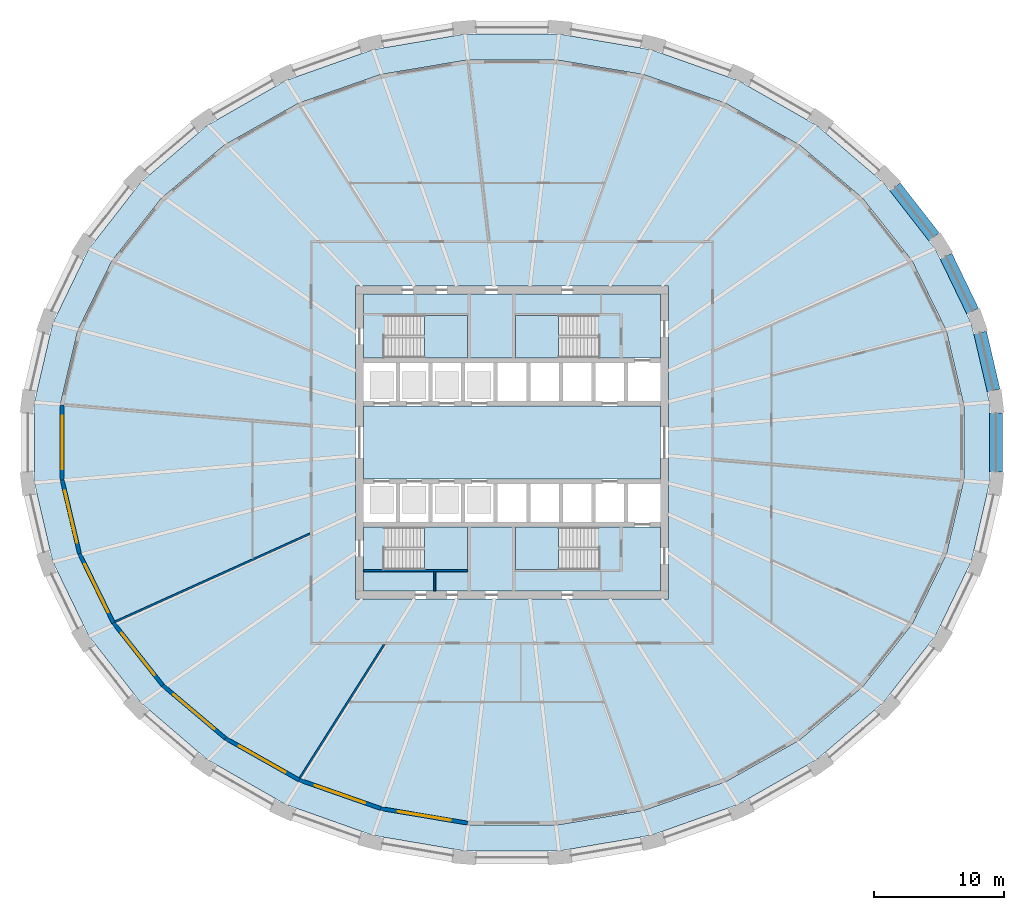
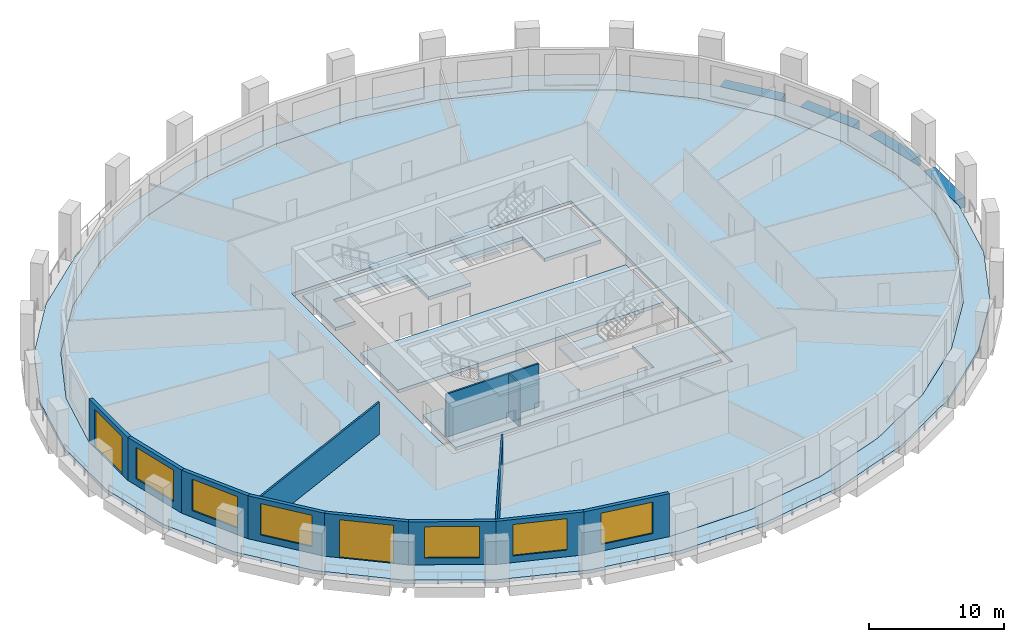
# One storey, part 2 of 10: 12 walls, 9 slabs, 6 windows, 4 beams, 2 doors, 8 openings, 4 elements without a shape of their own.
"""IFC4 building model written with IfcOpenShell, lengths in metres."""

from ifc_helpers import new_model, si_unit, direction, frame, frame_2d, origin, origin_2d, place, context, subcontext, project, spatial, polyline, rectangle, outline, extrude, material, layer, layer_set, material_profile, profile_set, type_object, element, fill, aggregate, save


model = new_model("IFC4")

# Units and contexts
model_context = context("Model", 3, precision=1e-05, world=origin(), true_north=direction((0.0, 1.0)))
body_context = subcontext(model_context, "Body", "Model", "MODEL_VIEW")
ifc_project = project(units=[si_unit("LENGTHUNIT", "METRE"), si_unit("AREAUNIT", "SQUARE_METRE"), si_unit("VOLUMEUNIT", "CUBIC_METRE"), si_unit("PLANEANGLEUNIT", "RADIAN"), si_unit("MASSUNIT", "GRAM", prefix="KILO")], contexts=[model_context])

# Site, building, storey
site_placement = place(None, origin())
site = spatial("IfcSite", under=ifc_project, at=site_placement, CompositionType="ELEMENT")
building_placement = place(site_placement, origin())
building = spatial("IfcBuilding", under=site, at=building_placement, Name="Halqa Exchange Tower", CompositionType="ELEMENT")
storey_placement = place(building_placement, frame((0.0, 0.0, 52.89990234375)))
storey = spatial("IfcBuildingStorey", under=building, at=storey_placement, Name="L11", CompositionType="ELEMENT", Elevation=52.89990234375)

# Beams
ifc_material_1 = material(Name="Concrete C60/75", Category="concrete")
ifc_material_profile = material_profile(ifc_material_1, rectangle(XDim=1.0, YDim=0.89990234375, at=origin_2d()), Name="1000 x 900")
ifc_profile_set = profile_set([ifc_material_profile], Name="Concrete C60/75")
beam_type = type_object("IfcBeamType", Name="RC spandrel beam 1000 x 900 C60/75", PredefinedType="SPANDREL", material=ifc_profile_set)
beam_1_placement = place(storey_placement, frame((36.9375, 3.99072265625, -0.449951171875), z_axis=(-0.226037111301, 0.974118691082, 0.0), x_axis=(-0.974118691082, -0.226037111301, 0.0)))
element("IfcBeam", 1, at=beam_1_placement, inside=storey, type_object=beam_type, Name="Spandrel 1", PredefinedType="SPANDREL", context=body_context, shape_type="SweptSolid", body=[
    extrude(rectangle(XDim=1.0, YDim=0.89990234375, at=origin_2d()), origin(), (0.0, 0.0, 1.0), 4.556884765625),
])
beam_2_placement = place(storey_placement, frame((35.327392578125, 10.074462890625, -0.449951171875), z_axis=(-0.43512988636, 0.900367692666, 0.0), x_axis=(-0.900367692666, -0.43512988636, 0.0)))
element("IfcBeam", 2, at=beam_2_placement, inside=storey, type_object=beam_type, Name="Spandrel 2", PredefinedType="SPANDREL", context=body_context, shape_type="SweptSolid", body=[
    extrude(rectangle(XDim=1.0, YDim=0.89990234375, at=origin_2d()), origin(), (0.0, 0.0, 1.0), 4.6787109375),
])
beam_3_placement = place(storey_placement, frame((32.37060546875, 15.76904296875, -0.449951171875), z_axis=(-0.614803063133, 0.788680666406, 0.0), x_axis=(-0.788680666406, -0.614803063133, 0.0)))
element("IfcBeam", 3, at=beam_3_placement, inside=storey, type_object=beam_type, Name="Spandrel 3", PredefinedType="SPANDREL", context=body_context, shape_type="SweptSolid", body=[
    extrude(rectangle(XDim=1.0, YDim=0.89990234375, at=origin_2d()), origin(), (0.0, 0.0, 1.0), 4.858154296875),
])
beam_4_placement = place(storey_placement, frame((37.135986328125, -2.25634765625, -0.449951171875), z_axis=(0.0, 1.0, 0.0), x_axis=(-1.0, 0.0, 0.0)))
element("IfcBeam", 4, at=beam_4_placement, inside=storey, type_object=beam_type, Name="Spandrel 32", PredefinedType="SPANDREL", context=body_context, shape_type="SweptSolid", body=[
    extrude(rectangle(XDim=1.0, YDim=0.89990234375, at=origin_2d()), origin(), (0.0, 0.0, 1.0), 4.5126953125),
])

# Slabs
ifc_layer_1 = layer(ifc_material_1, 0.300048828125)
ifc_layer_set_1 = layer_set([ifc_layer_1], Name="Concrete C60/75")
slab_type_1 = type_object("IfcSlabType", Name="Core floor slab 300", PredefinedType="FLOOR", material=ifc_layer_set_1)
slab_1_placement = place(storey_placement, frame((0.0, 0.0, -0.2998046875)))
element("IfcSlab", 5, at=slab_1_placement, inside=storey, type_object=slab_type_1, Name="Core floor slab", PredefinedType="FLOOR", context=body_context, shape_type="SweptSolid", body=[
    extrude(outline(polyline([(-11.39990234375, 2.800048828125), (11.39990234375, 2.800048828125), (11.39990234375, -2.800048828125), (-11.39990234375, -2.800048828125), (-11.39990234375, 2.800048828125)])), origin(), (0.0, 0.0, 1.0), 0.2998046875),
])
slab_2_placement = place(storey_placement, frame((0.0, 0.0, -0.2998046875)))
element("IfcSlab", 6, at=slab_2_placement, inside=storey, type_object=slab_type_1, Name="Core floor slab", PredefinedType="FLOOR", context=body_context, shape_type="SweptSolid", body=[
    extrude(outline(polyline([(-11.39990234375, 11.39990234375), (11.39990234375, 11.39990234375), (11.39990234375, 6.5), (6.550048828125, 6.5), (6.550048828125, 9.75), (0.25, 9.75), (0.25, 6.5), (-3.39990234375, 6.5), (-3.39990234375, 9.75), (-9.699951171875, 9.75), (-9.699951171875, 6.5), (-11.39990234375, 6.5), (-11.39990234375, 11.39990234375)])), origin(), (0.0, 0.0, 1.0), 0.2998046875),
])
slab_3_placement = place(storey_placement, frame((0.0, 0.0, -0.2998046875)))
element("IfcSlab", 7, at=slab_3_placement, inside=storey, type_object=slab_type_1, Name="Core floor slab", PredefinedType="FLOOR", context=body_context, shape_type="SweptSolid", body=[
    extrude(outline(polyline([(-9.699951171875, -9.75), (-3.39990234375, -9.75), (-3.39990234375, -6.5), (0.25, -6.5), (0.25, -9.75), (6.550048828125, -9.75), (6.550048828125, -6.5), (11.39990234375, -6.5), (11.39990234375, -11.39990234375), (-11.39990234375, -11.39990234375), (-11.39990234375, -6.5), (-9.699951171875, -6.5), (-9.699951171875, -9.75)])), origin(), (0.0, 0.0, 1.0), 0.2998046875),
])
ifc_material_2 = material(Name="Concrete C40/50", Category="concrete")
ifc_layer_2 = layer(ifc_material_2, 0.300048828125)
ifc_layer_set_2 = layer_set([ifc_layer_2], Name="Concrete C40/50")
slab_type_2 = type_object("IfcSlabType", Name="RC floor slab 300", PredefinedType="FLOOR", material=ifc_layer_set_2)
slab_4_placement = place(storey_placement, frame((0.0, 0.0, -0.2998046875)))
element("IfcSlab", 8, at=slab_4_placement, inside=storey, type_object=slab_type_2, Name="Floor slab", PredefinedType="FLOOR", context=body_context, shape_type="SweptSolid", body=[
    extrude(outline(polyline([(34.649658203125, 2.8955078125), (33.31396484375, 8.573486328125), (30.695556640625, 13.91845703125), (26.897705078125, 18.724365234375), (22.068603515625, 22.8076171875), (16.39501953125, 26.01318359375), (10.094482421875, 28.219970703125), (3.408203125, 29.344482421875), (-3.408203125, 29.344482421875), (-10.094482421875, 28.219970703125), (-16.39501953125, 26.01318359375), (-22.068603515625, 22.8076171875), (-26.897705078125, 18.724365234375), (-30.695556640625, 13.91845703125), (-33.31396484375, 8.573486328125), (-34.649658203125, 2.8955078125), (-34.649658203125, -2.8955078125), (-33.31396484375, -8.573486328125), (-30.695556640625, -13.91845703125), (-26.897705078125, -18.724365234375), (-22.068603515625, -22.8076171875), (-16.39501953125, -26.01318359375), (-10.094482421875, -28.219970703125), (-3.408203125, -29.344482421875), (3.408203125, -29.344482421875), (10.094482421875, -28.219970703125), (16.39501953125, -26.01318359375), (22.068603515625, -22.8076171875), (26.897705078125, -18.724365234375), (30.695556640625, -13.91845703125), (33.31396484375, -8.573486328125), (34.649658203125, -2.8955078125), (34.649658203125, 2.8955078125)]), holes=[polyline([(-12.0, -12.0), (12.0, -12.0), (12.0, 12.0), (-12.0, 12.0), (-12.0, -12.0)])]), origin(), (0.0, 0.0, 1.0), 0.2998046875),
])
ifc_layer_3 = layer(ifc_material_2, 0.300048828125)
ifc_layer_set_3 = layer_set([ifc_layer_3], Name="Concrete C40/50")
slab_type_3 = type_object("IfcSlabType", Name="RC loggia slab 300", PredefinedType="FLOOR", material=ifc_layer_set_3)
slab_5_placement = place(storey_placement, frame((0.0, 0.0, -0.2998046875)))
element("IfcSlab", 9, at=slab_5_placement, inside=storey, type_object=slab_type_3, Name="Loggia slab", PredefinedType="FLOOR", context=body_context, shape_type="SweptSolid", body=[
    extrude(outline(polyline([(36.635986328125, 3.077880859375), (36.635986328125, -3.077880859375), (35.234619140625, -9.117431640625), (32.482666015625, -14.812255859375), (28.48193359375, -19.944091796875), (23.38330078125, -24.314208984375), (17.380859375, -27.752197265625), (10.70556640625, -30.1220703125), (3.615234375, -31.3310546875), (-3.615234375, -31.3310546875), (-10.70556640625, -30.1220703125), (-17.380859375, -27.752197265625), (-23.38330078125, -24.314208984375), (-28.48193359375, -19.944091796875), (-32.482666015625, -14.812255859375), (-35.234619140625, -9.117431640625), (-36.635986328125, -3.077880859375), (-36.635986328125, 3.077880859375), (-35.234619140625, 9.117431640625), (-32.482666015625, 14.812255859375), (-28.48193359375, 19.944091796875), (-23.38330078125, 24.314208984375), (-17.380859375, 27.752197265625), (-10.70556640625, 30.1220703125), (-3.615234375, 31.3310546875), (3.615234375, 31.3310546875), (10.70556640625, 30.1220703125), (17.380859375, 27.752197265625), (23.38330078125, 24.314208984375), (28.48193359375, 19.944091796875), (32.482666015625, 14.812255859375), (35.234619140625, 9.117431640625), (36.635986328125, 3.077880859375)]), holes=[polyline([(34.649658203125, 2.8955078125), (33.31396484375, 8.573486328125), (30.695556640625, 13.91845703125), (26.897705078125, 18.724365234375), (22.068603515625, 22.8076171875), (16.39501953125, 26.01318359375), (10.094482421875, 28.219970703125), (3.408203125, 29.344482421875), (-3.408203125, 29.344482421875), (-10.094482421875, 28.219970703125), (-16.39501953125, 26.01318359375), (-22.068603515625, 22.8076171875), (-26.897705078125, 18.724365234375), (-30.695556640625, 13.91845703125), (-33.31396484375, 8.573486328125), (-34.649658203125, 2.8955078125), (-34.649658203125, -2.8955078125), (-33.31396484375, -8.573486328125), (-30.695556640625, -13.91845703125), (-26.897705078125, -18.724365234375), (-22.068603515625, -22.8076171875), (-16.39501953125, -26.01318359375), (-10.094482421875, -28.219970703125), (-3.408203125, -29.344482421875), (3.408203125, -29.344482421875), (10.094482421875, -28.219970703125), (16.39501953125, -26.01318359375), (22.068603515625, -22.8076171875), (26.897705078125, -18.724365234375), (30.695556640625, -13.91845703125), (33.31396484375, -8.573486328125), (34.649658203125, -2.8955078125), (34.649658203125, 2.8955078125)])]), origin(), (0.0, 0.0, 1.0), 0.2998046875),
])

# Stair, slab
ifc_material_3 = material(Name="Concrete C30/37", Category="concrete")
stair_type = type_object("IfcStairType", Name="Exit stair 1500 wide", PredefinedType="HALF_TURN_STAIR", material=ifc_material_3)
stair_1_placement = place(storey_placement, origin())
stair_1 = element("IfcStair", 10, at=stair_1_placement, inside=storey, type_object=stair_type, Name="Exit stair ST1", PredefinedType="HALF_TURN_STAIR")
ifc_layer_4 = layer(ifc_material_3, 0.199951171875)
ifc_layer_set_4 = layer_set([ifc_layer_4], Name="Concrete C30/37")
slab_type_4 = type_object("IfcSlabType", Name="Stair landing 200 slab", PredefinedType="LANDING", material=ifc_layer_set_4)
slab_6_placement = place(storey_placement, frame((0.0, 0.0, 1.900146484375)))
slab_6 = element("IfcSlab", 11, at=slab_6_placement, type_object=slab_type_4, Name="ST1 landing 1", PredefinedType="LANDING", context=body_context, shape_type="SweptSolid", body=[
    extrude(outline(polyline([(-6.719970703125, 6.5), (-3.39990234375, 6.5), (-3.39990234375, 9.75), (-6.719970703125, 9.75), (-6.719970703125, 6.5)])), origin(), (0.0, 0.0, 1.0), 0.199951171875),
])
aggregate(stair_1, [slab_6])

stair_2_placement = place(storey_placement, origin())
stair_2 = element("IfcStair", 12, at=stair_2_placement, inside=storey, type_object=stair_type, Name="Exit stair ST2", PredefinedType="HALF_TURN_STAIR")
slab_7_placement = place(storey_placement, frame((0.0, 0.0, 1.900146484375)))
slab_7 = element("IfcSlab", 13, at=slab_7_placement, type_object=slab_type_4, Name="ST2 landing 1", PredefinedType="LANDING", context=body_context, shape_type="SweptSolid", body=[
    extrude(outline(polyline([(0.25, 6.5), (3.570068359375, 6.5), (3.570068359375, 9.75), (0.25, 9.75), (0.25, 6.5)])), origin(), (0.0, 0.0, 1.0), 0.199951171875),
])
aggregate(stair_2, [slab_7])

stair_3_placement = place(storey_placement, origin())
stair_3 = element("IfcStair", 14, at=stair_3_placement, inside=storey, type_object=stair_type, Name="Exit stair ST3", PredefinedType="HALF_TURN_STAIR")
slab_8_placement = place(storey_placement, frame((0.0, 0.0, 1.900146484375)))
slab_8 = element("IfcSlab", 15, at=slab_8_placement, type_object=slab_type_4, Name="ST3 landing 1", PredefinedType="LANDING", context=body_context, shape_type="SweptSolid", body=[
    extrude(outline(polyline([(-6.719970703125, -9.75), (-3.39990234375, -9.75), (-3.39990234375, -6.5), (-6.719970703125, -6.5), (-6.719970703125, -9.75)])), origin(), (0.0, 0.0, 1.0), 0.199951171875),
])
aggregate(stair_3, [slab_8])

stair_4_placement = place(storey_placement, origin())
stair_4 = element("IfcStair", 16, at=stair_4_placement, inside=storey, type_object=stair_type, Name="Exit stair ST4", PredefinedType="HALF_TURN_STAIR")
slab_9_placement = place(storey_placement, frame((0.0, 0.0, 1.900146484375)))
slab_9 = element("IfcSlab", 17, at=slab_9_placement, type_object=slab_type_4, Name="ST4 landing 1", PredefinedType="LANDING", context=body_context, shape_type="SweptSolid", body=[
    extrude(outline(polyline([(0.25, -9.75), (3.570068359375, -9.75), (3.570068359375, -6.5), (0.25, -6.5), (0.25, -9.75)])), origin(), (0.0, 0.0, 1.0), 0.199951171875),
])
aggregate(stair_4, [slab_9])

# Walls
ifc_material_4 = material(Name="Fire-rated gypsum board")
ifc_layer_5 = layer(ifc_material_4, 0.14990234375)
ifc_layer_set_5 = layer_set([ifc_layer_5], Name="Fire-rated gypsum board")
wall_type_1 = type_object("IfcWallType", Name="Fire partition EI 60 150", PredefinedType="PARTITIONING", material=ifc_layer_set_5)
wall_1_placement = place(storey_placement, frame((-30.443603515625, -13.755126953125, 0.0), z_axis=(0.0, 0.0, 1.0), x_axis=(0.911343853748, 0.411645940385, 0.0)))
element("IfcWall", 18, at=wall_1_placement, inside=storey, type_object=wall_type_1, Name="L11-PWL-002", PredefinedType="PARTITIONING", context=body_context, shape_type="SweptSolid", body=[
    extrude(outline(polyline([(0.019775390625, -0.074951171875), (1.8388671875, -0.074951171875), (3.65771484375, -0.074951171875), (5.476806640625, -0.074951171875), (7.2958984375, -0.074951171875), (9.11474609375, -0.074951171875), (10.933837890625, -0.074951171875), (12.7529296875, -0.074951171875), (14.57177734375, -0.074951171875), (16.390869140625, -0.074951171875), (16.442138671875, 0.038330078125), (16.442138671875, 0.038330078125), (16.45849609375, 0.074951171875), (14.8583984375, 0.074951171875), (13.25830078125, 0.074951171875), (11.657958984375, 0.074951171875), (11.6572265625, 0.072998046875), (11.65283203125, 0.074951171875), (9.710693359375, 0.074951171875), (7.7685546875, 0.074951171875), (5.826416015625, 0.074951171875), (3.88427734375, 0.074951171875), (1.942138671875, 0.074951171875), (0.0, 0.074951171875), (0.0, 0.06201171875), (0.001953125, -0.003662109375), (0.019775390625, -0.074951171875)])), origin(), (0.0, 0.0, 1.0), 2.91015625),
])
wall_2_placement = place(storey_placement, frame((-16.27294921875, -25.74169921875, 0.0), z_axis=(0.0, 0.0, 1.0), x_axis=(0.534654841392, 0.845070529942, 0.0)))
element("IfcWall", 19, at=wall_2_placement, inside=storey, type_object=wall_type_1, Name="L11-PWL-004", PredefinedType="PARTITIONING", context=body_context, shape_type="SweptSolid", body=[
    extrude(outline(polyline([(0.020751953125, -0.074951171875), (1.768798828125, -0.074951171875), (3.516845703125, -0.074951171875), (5.26513671875, -0.074951171875), (7.01318359375, -0.074951171875), (7.017578125, -0.072265625), (7.019287109375, -0.074951171875), (8.744873046875, -0.074951171875), (10.470703125, -0.074951171875), (12.1962890625, -0.074951171875), (12.1962890625, -0.074951171875), (12.1015625, 0.074951171875), (10.372802734375, 0.074951171875), (8.64404296875, 0.074951171875), (6.9150390625, 0.074951171875), (5.186279296875, 0.074951171875), (3.45751953125, 0.074951171875), (1.728759765625, 0.074951171875), (0.0, 0.074951171875), (0.0, 0.071044921875), (0.003662109375, -0.00048828125), (0.020751953125, -0.074951171875)])), origin(), (0.0, 0.0, 1.0), 3.110107421875),
])
ifc_material_5 = material(Name="Gypsum board")
ifc_layer_6 = layer(ifc_material_5, 0.14990234375)
ifc_layer_set_6 = layer_set([ifc_layer_6], Name="Gypsum board")
wall_type_2 = type_object("IfcWallType", Name="Penthouse riser wall 150 gypsum", PredefinedType="PARTITIONING", material=ifc_layer_set_6)
wall_3_placement = place(storey_placement, frame((-5.925048828125, -11.39990234375, 0.0), z_axis=(0.0, 0.0, 1.0), x_axis=(0.0, 1.0, 0.0)))
element("IfcWall", 20, at=wall_3_placement, inside=storey, type_object=wall_type_2, Name="Partition W5.925 S", PredefinedType="PARTITIONING", context=body_context, shape_type="SweptSolid", body=[
    extrude(rectangle(XDim=1.5, YDim=0.14990234375, at=frame_2d((0.75, 0.0))), origin(), (0.0, 0.0, 1.0), 3.900146484375),
])
ifc_layer_7 = layer(ifc_material_3, 0.14990234375)
ifc_layer_set_7 = layer_set([ifc_layer_7], Name="Concrete C30/37")
wall_type_3 = type_object("IfcWallType", Name="RC stair wall 150 C30/37", PredefinedType="SHEAR", material=ifc_layer_set_7)
wall_4_placement = place(storey_placement, frame((-11.39990234375, -9.824951171875, 0.0), z_axis=(0.0, 0.0, 1.0), x_axis=(1.0, 0.0, 0.0)))
element("IfcWall", 21, at=wall_4_placement, inside=storey, type_object=wall_type_3, Name="Stair ST1 north wall S", PredefinedType="SHEAR", context=body_context, shape_type="SweptSolid", body=[
    extrude(rectangle(XDim=8.0, YDim=0.14990234375, at=frame_2d((4.0, 0.0))), origin(), (0.0, 0.0, 1.0), 3.900146484375),
])

# Wall, opening, door
ifc_material_6 = material(Name="Limestone cladding", Category="masonry")
ifc_layer_8 = layer(ifc_material_6, 0.0400390625)
ifc_material_7 = material(Name="Ventilated cavity")
ifc_layer_9 = layer(ifc_material_7, 0.030029296875, ventilated=True)
ifc_material_8 = material(Name="Mineral wool insulation")
ifc_layer_10 = layer(ifc_material_8, 0.10009765625)
ifc_layer_11 = layer(ifc_material_3, 0.10009765625)
ifc_material_9 = material(Name="Internal plaster")
ifc_layer_12 = layer(ifc_material_9, 0.030029296875)
ifc_layer_set_8 = layer_set([ifc_layer_8, ifc_layer_9, ifc_layer_10, ifc_layer_11, ifc_layer_12], Name="Stone-faced insulated wall 300")
wall_type_4 = type_object("IfcWallType", Name="Stone-faced insulated wall 300", PredefinedType="STANDARD", material=ifc_layer_set_8)
wall_5_placement = place(storey_placement, frame((-34.49951171875, 2.8779296875, 0.0), z_axis=(0.0, 0.0, 1.0), x_axis=(0.0, -1.0, 0.0)))
wall_5 = element("IfcWall", 22, at=wall_5_placement, inside=storey, type_object=wall_type_4, Name="Glass-line wall 16", PredefinedType="STANDARD", context=body_context, shape_type="SweptSolid", body=[
    extrude(outline(polyline([(-0.017333984375, -0.14990234375), (5.773193359375, -0.14990234375), (5.738525390625, 0.14990234375), (0.017333984375, 0.14990234375), (-0.017333984375, -0.14990234375)])), origin(), (0.0, 0.0, 1.0), 3.900146484375),
])
opening_1_placement = place(wall_5_placement, frame((0.827880859375, 0.0, 0.0)))
opening_1 = element("IfcOpeningElement", 23, at=opening_1_placement, cuts=wall_5, Name="Opening LG-F1-04", PredefinedType="OPENING", context=body_context, shape_type="SweptSolid", body=[
    extrude(rectangle(XDim=4.10009765625, YDim=3.449951171875, at=frame_2d((2.050048828125, 1.72509765625))), frame((0.0, 0.162109375, 0.0), z_axis=(0.0, -1.0, 0.0), x_axis=(1.0, 0.0, 0.0)), (0.0, 0.0, 1.0), 0.323974609375),
])
ifc_material_10 = material(Name="Clear low-emissivity glass in aluminium frame", Category="aluminium")
door_type = type_object("IfcDoorType", Name="Glazed sliding loggia door 4100 x 3450", OperationType="DOUBLE_DOOR_SLIDING", PredefinedType="DOOR", material=ifc_material_10)
door_1_placement = place(opening_1_placement, origin())
door_1 = element("IfcDoor", 24, at=door_1_placement, inside=storey, type_object=door_type, Name="Loggia door 4", OperationType="DOUBLE_DOOR_SLIDING", OverallHeight=3.449951171875, OverallWidth=4.10009765625, PredefinedType="DOOR", context=body_context, shape_type="SweptSolid", body=[
    extrude(rectangle(XDim=4.10009765625, YDim=3.449951171875, at=frame_2d((2.050048828125, 1.72509765625))), frame((0.0, 0.02490234375, 0.0), z_axis=(0.0, -1.0, 0.0), x_axis=(1.0, 0.0, 0.0)), (0.0, 0.0, 1.0), 0.050048828125),
])
fill(opening_1, door_1)

# Wall, opening, window
wall_6_placement = place(storey_placement, frame((-34.49951171875, -2.8779296875, 0.0), z_axis=(0.0, 0.0, 1.0), x_axis=(0.228990053972, -0.973428762253, 0.0)))
wall_6 = element("IfcWall", 25, at=wall_6_placement, inside=storey, type_object=wall_type_4, Name="Glass-line wall 17", PredefinedType="STANDARD", context=body_context, shape_type="SweptSolid", body=[
    extrude(outline(polyline([(-0.017333984375, -0.14990234375), (5.815673828125, -0.14990234375), (5.781982421875, 0.14990234375), (0.017333984375, 0.14990234375), (-0.017333984375, -0.14990234375)])), origin(), (0.0, 0.0, 1.0), 3.900146484375),
])
opening_2_placement = place(wall_6_placement, frame((0.849365234375, 0.0, 0.60009765625)))
opening_2 = element("IfcOpeningElement", 26, at=opening_2_placement, cuts=wall_6, Name="Opening W-F1-17", PredefinedType="OPENING", context=body_context, shape_type="SweptSolid", body=[
    extrude(rectangle(XDim=4.10009765625, YDim=2.85009765625, at=frame_2d((2.050048828125, 1.425048828125))), frame((0.0, 0.162109375, 0.0), z_axis=(0.0, -1.0, 0.0), x_axis=(1.0, 0.0, 0.0)), (0.0, 0.0, 1.0), 0.323974609375),
])
window_type = type_object("IfcWindowType", Name="Fixed clear glazed window 4100 x 2850", PartitioningType="TRIPLE_PANEL_VERTICAL", PredefinedType="WINDOW", material=ifc_material_10)
window_1_placement = place(opening_2_placement, origin())
window_1 = element("IfcWindow", 27, at=window_1_placement, inside=storey, type_object=window_type, Name="Window 1", OverallHeight=2.85009765625, OverallWidth=4.10009765625, PartitioningType="TRIPLE_PANEL_VERTICAL", PredefinedType="WINDOW", context=body_context, shape_type="SweptSolid", body=[
    extrude(rectangle(XDim=4.10009765625, YDim=2.85009765625, at=frame_2d((2.050048828125, 1.425048828125))), frame((0.0, 0.030029296875, 0.0), z_axis=(0.0, -1.0, 0.0), x_axis=(1.0, 0.0, 0.0)), (0.0, 0.0, 1.0), 0.06005859375),
])
fill(opening_2, window_1)

wall_7_placement = place(storey_placement, frame((-33.171630859375, -8.522705078125, 0.0), z_axis=(0.0, 0.0, 1.0), x_axis=(0.439906146647, -0.898043752911, 0.0)))
wall_7 = element("IfcWall", 28, at=wall_7_placement, inside=storey, type_object=wall_type_4, Name="Glass-line wall 18", PredefinedType="STANDARD", context=body_context, shape_type="SweptSolid", body=[
    extrude(outline(polyline([(-0.016845703125, -0.14990234375), (5.93505859375, -0.14990234375), (5.90283203125, 0.14990234375), (0.016845703125, 0.14990234375), (-0.016845703125, -0.14990234375)])), origin(), (0.0, 0.0, 1.0), 3.900146484375),
])
opening_3_placement = place(wall_7_placement, frame((0.909423828125, 0.0, 0.60009765625)))
opening_3 = element("IfcOpeningElement", 29, at=opening_3_placement, cuts=wall_7, Name="Opening W-F1-18", PredefinedType="OPENING", context=body_context, shape_type="SweptSolid", body=[
    extrude(rectangle(XDim=4.10009765625, YDim=2.85009765625, at=frame_2d((2.050048828125, 1.425048828125))), frame((0.0, 0.162109375, 0.0), z_axis=(0.0, -1.0, 0.0), x_axis=(1.0, 0.0, 0.0)), (0.0, 0.0, 1.0), 0.323974609375),
])
window_2_placement = place(opening_3_placement, origin())
window_2 = element("IfcWindow", 30, at=window_2_placement, inside=storey, type_object=window_type, Name="Window 1", OverallHeight=2.85009765625, OverallWidth=4.10009765625, PartitioningType="TRIPLE_PANEL_VERTICAL", PredefinedType="WINDOW", context=body_context, shape_type="SweptSolid", body=[
    extrude(rectangle(XDim=4.10009765625, YDim=2.85009765625, at=frame_2d((2.050048828125, 1.425048828125))), frame((0.0, 0.030029296875, 0.0), z_axis=(0.0, -1.0, 0.0), x_axis=(1.0, 0.0, 0.0)), (0.0, 0.0, 1.0), 0.06005859375),
])
fill(opening_3, window_2)

wall_8_placement = place(storey_placement, frame((-30.56787109375, -13.838134765625, 0.0), z_axis=(0.0, 0.0, 1.0), x_axis=(0.619993638342, -0.78460683684, 0.0)))
wall_8 = element("IfcWall", 31, at=wall_8_placement, inside=storey, type_object=wall_type_4, Name="Glass-line wall 19", PredefinedType="STANDARD", context=body_context, shape_type="SweptSolid", body=[
    extrude(outline(polyline([(-0.01611328125, -0.14990234375), (6.109375, -0.14990234375), (6.0791015625, 0.14990234375), (0.01611328125, 0.14990234375), (-0.01611328125, -0.14990234375)])), origin(), (0.0, 0.0, 1.0), 3.900146484375),
])
opening_4_placement = place(wall_8_placement, frame((0.9970703125, 0.0, 0.60009765625)))
opening_4 = element("IfcOpeningElement", 32, at=opening_4_placement, cuts=wall_8, Name="Opening W-F1-19", PredefinedType="OPENING", context=body_context, shape_type="SweptSolid", body=[
    extrude(rectangle(XDim=4.10009765625, YDim=2.85009765625, at=frame_2d((2.050048828125, 1.425048828125))), frame((0.0, 0.162109375, 0.0), z_axis=(0.0, -1.0, 0.0), x_axis=(1.0, 0.0, 0.0)), (0.0, 0.0, 1.0), 0.323974609375),
])
window_3_placement = place(opening_4_placement, origin())
window_3 = element("IfcWindow", 33, at=window_3_placement, inside=storey, type_object=window_type, Name="Window 1", OverallHeight=2.85009765625, OverallWidth=4.10009765625, PartitioningType="TRIPLE_PANEL_VERTICAL", PredefinedType="WINDOW", context=body_context, shape_type="SweptSolid", body=[
    extrude(rectangle(XDim=4.10009765625, YDim=2.85009765625, at=frame_2d((2.050048828125, 1.425048828125))), frame((0.0, 0.030029296875, 0.0), z_axis=(0.0, -1.0, 0.0), x_axis=(1.0, 0.0, 0.0)), (0.0, 0.0, 1.0), 0.06005859375),
])
fill(opening_4, window_3)

# Wall, opening, door
wall_9_placement = place(storey_placement, frame((-26.78955078125, -18.61962890625, 0.0), z_axis=(0.0, 0.0, 1.0), x_axis=(0.763614259808, -0.645672720671, 0.0)))
wall_9 = element("IfcWall", 34, at=wall_9_placement, inside=storey, type_object=wall_type_4, Name="Glass-line wall 20", PredefinedType="STANDARD", context=body_context, shape_type="SweptSolid", body=[
    extrude(outline(polyline([(-0.01513671875, -0.14990234375), (6.30908203125, -0.14990234375), (6.28076171875, 0.14990234375), (0.01513671875, 0.14990234375), (-0.01513671875, -0.14990234375)])), origin(), (0.0, 0.0, 1.0), 3.900146484375),
])
opening_5_placement = place(wall_9_placement, frame((1.097412109375, 0.0, 0.0)))
opening_5 = element("IfcOpeningElement", 35, at=opening_5_placement, cuts=wall_9, Name="Opening LG-F1-05", PredefinedType="OPENING", context=body_context, shape_type="SweptSolid", body=[
    extrude(rectangle(XDim=4.10009765625, YDim=3.449951171875, at=frame_2d((2.050048828125, 1.72509765625))), frame((0.0, 0.162109375, 0.0), z_axis=(0.0, -1.0, 0.0), x_axis=(1.0, 0.0, 0.0)), (0.0, 0.0, 1.0), 0.323974609375),
])
door_2_placement = place(opening_5_placement, origin())
door_2 = element("IfcDoor", 36, at=door_2_placement, inside=storey, type_object=door_type, Name="Loggia door 5", OperationType="DOUBLE_DOOR_SLIDING", OverallHeight=3.449951171875, OverallWidth=4.10009765625, PredefinedType="DOOR", context=body_context, shape_type="SweptSolid", body=[
    extrude(rectangle(XDim=4.10009765625, YDim=3.449951171875, at=frame_2d((2.050048828125, 1.72509765625))), frame((0.0, 0.02490234375, 0.0), z_axis=(0.0, -1.0, 0.0), x_axis=(1.0, 0.0, 0.0)), (0.0, 0.0, 1.0), 0.050048828125),
])
fill(opening_5, door_2)

# Wall, opening, window
wall_10_placement = place(storey_placement, frame((-21.982666015625, -22.68408203125, 0.0), z_axis=(0.0, 0.0, 1.0), x_axis=(0.870647609977, -0.491907246584, 0.0)))
wall_10 = element("IfcWall", 37, at=wall_10_placement, inside=storey, type_object=wall_type_4, Name="Glass-line wall 21", PredefinedType="STANDARD", context=body_context, shape_type="SweptSolid", body=[
    extrude(outline(polyline([(-0.01416015625, -0.14990234375), (6.502685546875, -0.14990234375), (6.475830078125, 0.14990234375), (0.01416015625, 0.14990234375), (-0.01416015625, -0.14990234375)])), origin(), (0.0, 0.0, 1.0), 3.900146484375),
])
opening_6_placement = place(wall_10_placement, frame((1.194580078125, 0.0, 0.60009765625)))
opening_6 = element("IfcOpeningElement", 38, at=opening_6_placement, cuts=wall_10, Name="Opening W-F1-21", PredefinedType="OPENING", context=body_context, shape_type="SweptSolid", body=[
    extrude(rectangle(XDim=4.10009765625, YDim=2.85009765625, at=frame_2d((2.050048828125, 1.425048828125))), frame((0.0, 0.162109375, 0.0), z_axis=(0.0, -1.0, 0.0), x_axis=(1.0, 0.0, 0.0)), (0.0, 0.0, 1.0), 0.323974609375),
])
window_4_placement = place(opening_6_placement, origin())
window_4 = element("IfcWindow", 39, at=window_4_placement, inside=storey, type_object=window_type, Name="Window 1", OverallHeight=2.85009765625, OverallWidth=4.10009765625, PartitioningType="TRIPLE_PANEL_VERTICAL", PredefinedType="WINDOW", context=body_context, shape_type="SweptSolid", body=[
    extrude(rectangle(XDim=4.10009765625, YDim=2.85009765625, at=frame_2d((2.050048828125, 1.425048828125))), frame((0.0, 0.030029296875, 0.0), z_axis=(0.0, -1.0, 0.0), x_axis=(1.0, 0.0, 0.0)), (0.0, 0.0, 1.0), 0.06005859375),
])
fill(opening_6, window_4)

wall_11_placement = place(storey_placement, frame((-16.332763671875, -25.876220703125, 0.0), z_axis=(0.0, 0.0, 1.0), x_axis=(0.943790794479, -0.330543395421, 0.0)))
wall_11 = element("IfcWall", 40, at=wall_11_placement, inside=storey, type_object=wall_type_4, Name="Glass-line wall 22", PredefinedType="STANDARD", context=body_context, shape_type="SweptSolid", body=[
    extrude(outline(polyline([(-0.013427734375, -0.14990234375), (6.662353515625, -0.14990234375), (6.636962890625, 0.14990234375), (0.013427734375, 0.14990234375), (-0.013427734375, -0.14990234375)])), origin(), (0.0, 0.0, 1.0), 3.900146484375),
])
opening_7_placement = place(wall_11_placement, frame((1.27490234375, 0.0, 0.60009765625)))
opening_7 = element("IfcOpeningElement", 41, at=opening_7_placement, cuts=wall_11, Name="Opening W-F1-22", PredefinedType="OPENING", context=body_context, shape_type="SweptSolid", body=[
    extrude(rectangle(XDim=4.10009765625, YDim=2.85009765625, at=frame_2d((2.050048828125, 1.425048828125))), frame((0.0, 0.162109375, 0.0), z_axis=(0.0, -1.0, 0.0), x_axis=(1.0, 0.0, 0.0)), (0.0, 0.0, 1.0), 0.323974609375),
])
window_5_placement = place(opening_7_placement, origin())
window_5 = element("IfcWindow", 42, at=window_5_placement, inside=storey, type_object=window_type, Name="Window 1", OverallHeight=2.85009765625, OverallWidth=4.10009765625, PartitioningType="TRIPLE_PANEL_VERTICAL", PredefinedType="WINDOW", context=body_context, shape_type="SweptSolid", body=[
    extrude(rectangle(XDim=4.10009765625, YDim=2.85009765625, at=frame_2d((2.050048828125, 1.425048828125))), frame((0.0, 0.030029296875, 0.0), z_axis=(0.0, -1.0, 0.0), x_axis=(1.0, 0.0, 0.0)), (0.0, 0.0, 1.0), 0.06005859375),
])
fill(opening_7, window_5)

wall_12_placement = place(storey_placement, frame((-10.056884765625, -28.07421875, 0.0), z_axis=(0.0, 0.0, 1.0), x_axis=(0.986149614624, -0.165858185139, 0.0)))
wall_12 = element("IfcWall", 43, at=wall_12_placement, inside=storey, type_object=wall_type_4, Name="Glass-line wall 23", PredefinedType="STANDARD", context=body_context, shape_type="SweptSolid", body=[
    extrude(outline(polyline([(-0.0126953125, -0.14990234375), (6.767333984375, -0.14990234375), (6.742431640625, 0.14990234375), (0.0126953125, 0.14990234375), (-0.0126953125, -0.14990234375)])), origin(), (0.0, 0.0, 1.0), 3.900146484375),
])
opening_8_placement = place(wall_12_placement, frame((1.327392578125, 0.0, 0.60009765625)))
opening_8 = element("IfcOpeningElement", 44, at=opening_8_placement, cuts=wall_12, Name="Opening W-F1-23", PredefinedType="OPENING", context=body_context, shape_type="SweptSolid", body=[
    extrude(rectangle(XDim=4.10009765625, YDim=2.85009765625, at=frame_2d((2.050048828125, 1.425048828125))), frame((0.0, 0.162109375, 0.0), z_axis=(0.0, -1.0, 0.0), x_axis=(1.0, 0.0, 0.0)), (0.0, 0.0, 1.0), 0.323974609375),
])
window_6_placement = place(opening_8_placement, origin())
window_6 = element("IfcWindow", 45, at=window_6_placement, inside=storey, type_object=window_type, Name="Window 1", OverallHeight=2.85009765625, OverallWidth=4.10009765625, PartitioningType="TRIPLE_PANEL_VERTICAL", PredefinedType="WINDOW", context=body_context, shape_type="SweptSolid", body=[
    extrude(rectangle(XDim=4.10009765625, YDim=2.85009765625, at=frame_2d((2.050048828125, 1.425048828125))), frame((0.0, 0.030029296875, 0.0), z_axis=(0.0, -1.0, 0.0), x_axis=(1.0, 0.0, 0.0)), (0.0, 0.0, 1.0), 0.06005859375),
])
fill(opening_8, window_6)

save(model, "model.ifc")
